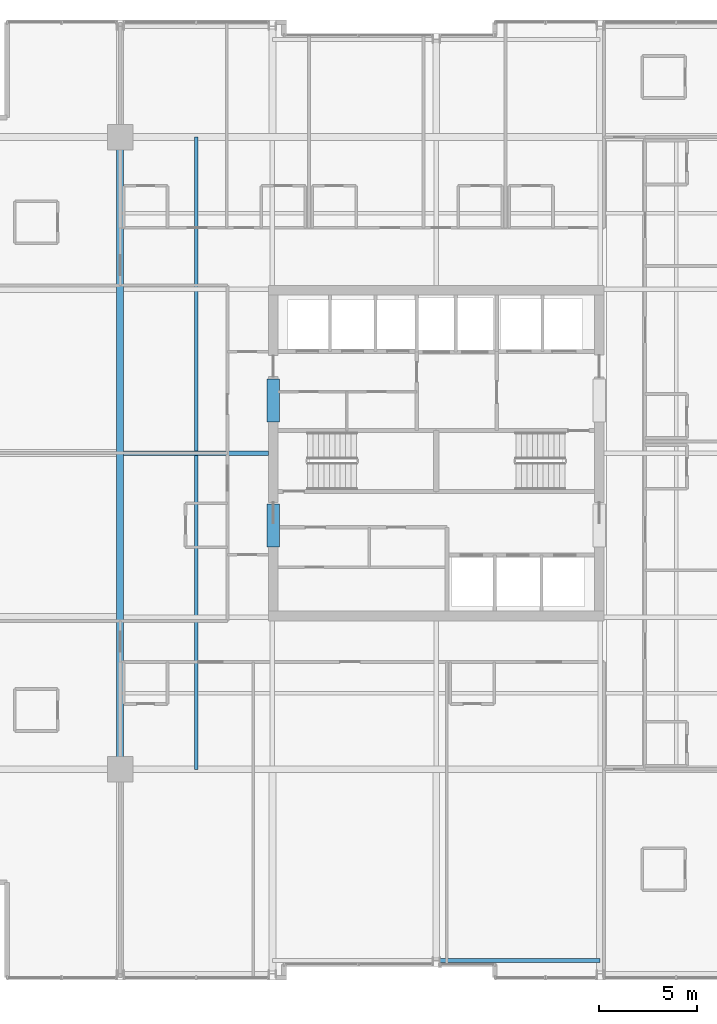
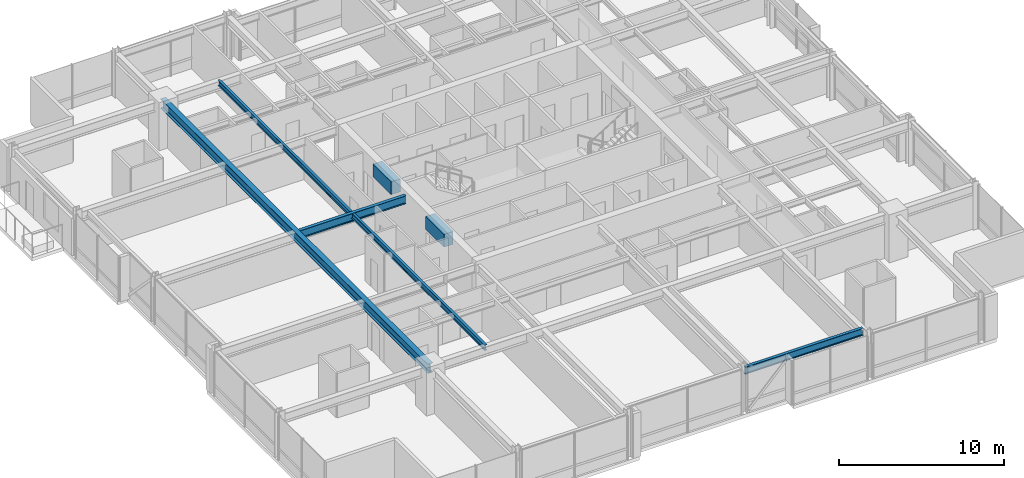
# One storey, part 10 of 32: 6 beams.
"""IFC4 building model written with IfcOpenShell, lengths in metres."""

from ifc_helpers import new_model, si_unit, direction, frame, origin, origin_2d, place, context, subcontext, project, spatial, rectangle, i_section, extrude, material, material_profile, profile_set, type_object, element, save


model = new_model("IFC4")

# Units and contexts
model_context = context("Model", 3, precision=1e-05, world=origin(), true_north=direction((0.0, 1.0)))
body_context = subcontext(model_context, "Body", "Model", "MODEL_VIEW")
ifc_project = project(units=[si_unit("LENGTHUNIT", "METRE"), si_unit("AREAUNIT", "SQUARE_METRE"), si_unit("VOLUMEUNIT", "CUBIC_METRE"), si_unit("PLANEANGLEUNIT", "RADIAN"), si_unit("MASSUNIT", "GRAM", prefix="KILO")], contexts=[model_context])

# Site, building, storey
site_placement = place(None, origin())
site = spatial("IfcSite", under=ifc_project, at=site_placement, CompositionType="ELEMENT")
building_placement = place(site_placement, origin())
building = spatial("IfcBuilding", under=site, at=building_placement, Name="Drelvath Grand Hotel", CompositionType="ELEMENT")
storey_placement = place(building_placement, frame((0.0, 0.0, 182.35009765625)))
storey = spatial("IfcBuildingStorey", under=building, at=storey_placement, Name="L47", CompositionType="ELEMENT", Elevation=182.35009765625)

# Beams
ifc_material_1 = material(Name="Steel ASTM A992 Gr 50", Category="steel")
ifc_material_profile_1 = material_profile(ifc_material_1, i_section(OverallWidth=0.177734375, OverallDepth=0.40673828125, WebThickness=0.0078125, FlangeThickness=0.0126953125, FilletRadius=0.014892578125, at=origin_2d()), Name="W16X40")
ifc_profile_set_1 = profile_set([ifc_material_profile_1], Name="Steel ASTM A992 Gr 50")
beam_type_1 = type_object("IfcBeamType", Name="Composite Floor Joist W16X40", PredefinedType="JOIST", material=ifc_profile_set_1)
beam_1_placement = place(storey_placement, frame((-12.300048828125, 10.800048828125, 3.08642578125), z_axis=(0.0, 1.0, 0.0), x_axis=(-1.0, 0.0, 0.0)))
element("IfcBeam", 1, at=beam_1_placement, inside=storey, type_object=beam_type_1, Name="L47 Wing Floor Joist J3", PredefinedType="JOIST", context=body_context, shape_type="SweptSolid", body=[
    extrude(i_section(OverallWidth=0.177734375, OverallDepth=0.40673828125, WebThickness=0.0078125, FlangeThickness=0.0126953125, FilletRadius=0.014892578125, at=origin_2d()), origin(), (0.0, 0.0, 1.0), 32.39990234375),
])
ifc_material_2 = material(Name="Concrete f'c 55 MPa", Category="concrete")
ifc_material_profile_2 = material_profile(ifc_material_2, rectangle(XDim=0.64990234375, YDim=0.949951171875, at=origin_2d()), Name="CB650X950")
ifc_profile_set_2 = profile_set([ifc_material_profile_2], Name="Concrete f'c 55 MPa")
beam_type_2 = type_object("IfcBeamType", Name="Core Coupling Lintel CB650X950", PredefinedType="LINTEL", material=ifc_profile_set_2)
for number, where, z_axis, x_axis, name in (
    (2, (-8.35009765625, 22.199951171875, 2.81494140625), (0.0, 1.0, 0.0), (-1.0, 0.0, 0.0), "L47 Core Coupling Lintel WS"),
    (3, (-8.35009765625, 28.60009765625, 2.81494140625), (0.0, 1.0, 0.0), (-1.0, 0.0, 0.0), "L47 Core Coupling Lintel WN"),
):
    element("IfcBeam", number, at=place(storey_placement, frame(where, z_axis=z_axis, x_axis=x_axis)), inside=storey, type_object=beam_type_2, Name=name, PredefinedType="LINTEL", context=body_context, shape_type="SweptSolid", body=[
        extrude(rectangle(XDim=0.64990234375, YDim=0.949951171875, at=origin_2d()), origin(), (0.0, 0.0, 1.0), 2.199951171875),
    ])
ifc_material_profile_3 = material_profile(ifc_material_1, i_section(OverallWidth=0.210205078125, OverallDepth=0.53662109375, WebThickness=0.010986328125, FlangeThickness=0.017333984375, FilletRadius=0.01806640625, at=origin_2d()), Name="W21X68")
ifc_profile_set_3 = profile_set([ifc_material_profile_3], Name="Steel ASTM A992 Gr 50")
beam_type_3 = type_object("IfcBeamType", Name="Perimeter Spandrel Beam W21X68", PredefinedType="SPANDREL", material=ifc_profile_set_3)
beam_2_placement = place(storey_placement, frame((0.139892578125, 1.0, 3.021484375), z_axis=(1.0, 0.0, 0.0), x_axis=(0.0, 1.0, 0.0)))
element("IfcBeam", 4, at=beam_2_placement, inside=storey, type_object=beam_type_3, Name="L47 Spandrel South Mid E", PredefinedType="SPANDREL", context=body_context, shape_type="SweptSolid", body=[
    extrude(i_section(OverallWidth=0.210205078125, OverallDepth=0.53662109375, WebThickness=0.010986328125, FlangeThickness=0.017333984375, FilletRadius=0.01806640625, at=origin_2d()), origin(), (0.0, 0.0, 1.0), 8.260009765625),
])
ifc_material_profile_4 = material_profile(ifc_material_1, i_section(OverallWidth=0.228271484375, OverallDepth=0.607666015625, WebThickness=0.01123046875, FlangeThickness=0.017333984375, FilletRadius=0.02001953125, at=origin_2d()), Name="W24X76")
ifc_profile_set_4 = profile_set([ifc_material_profile_4], Name="Steel ASTM A992 Gr 50")
beam_type_4 = type_object("IfcBeamType", Name="Primary Floor Girder W24X76", PredefinedType="BEAM", material=ifc_profile_set_4)
beam_3_placement = place(storey_placement, frame((-16.022705078125, 27.0, 2.986083984375), z_axis=(1.0, 0.0, 0.0), x_axis=(0.0, 1.0, 0.0)))
element("IfcBeam", 5, at=beam_3_placement, inside=storey, type_object=beam_type_4, Name="L47 West Core Tie E", PredefinedType="BEAM", context=body_context, shape_type="SweptSolid", body=[
    extrude(i_section(OverallWidth=0.228271484375, OverallDepth=0.607666015625, WebThickness=0.01123046875, FlangeThickness=0.017333984375, FilletRadius=0.02001953125, at=origin_2d()), origin(), (0.0, 0.0, 1.0), 7.422607421875),
])
ifc_material_profile_5 = material_profile(ifc_material_1, i_section(OverallWidth=0.354736328125, OverallDepth=0.695556640625, WebThickness=0.015380859375, FlangeThickness=0.025146484375, FilletRadius=0.02392578125, at=origin_2d()), Name="W27X146")
ifc_profile_set_5 = profile_set([ifc_material_profile_5], Name="Steel ASTM A992 Gr 50")
beam_type_5 = type_object("IfcBeamType", Name="Primary Floor Girder W27X146", PredefinedType="BEAM", material=ifc_profile_set_5)
beam_4_placement = place(storey_placement, frame((-16.199951171875, 10.800048828125, 2.942138671875), z_axis=(0.0, 1.0, 0.0), x_axis=(-1.0, 0.0, 0.0)))
element("IfcBeam", 6, at=beam_4_placement, inside=storey, type_object=beam_type_5, Name="L47 Mega Ring Girder West", PredefinedType="BEAM", context=body_context, shape_type="SweptSolid", body=[
    extrude(i_section(OverallWidth=0.354736328125, OverallDepth=0.695556640625, WebThickness=0.015380859375, FlangeThickness=0.025146484375, FilletRadius=0.02392578125, at=origin_2d()), origin(), (0.0, 0.0, 1.0), 32.39990234375),
])

save(model, "model.ifc")
